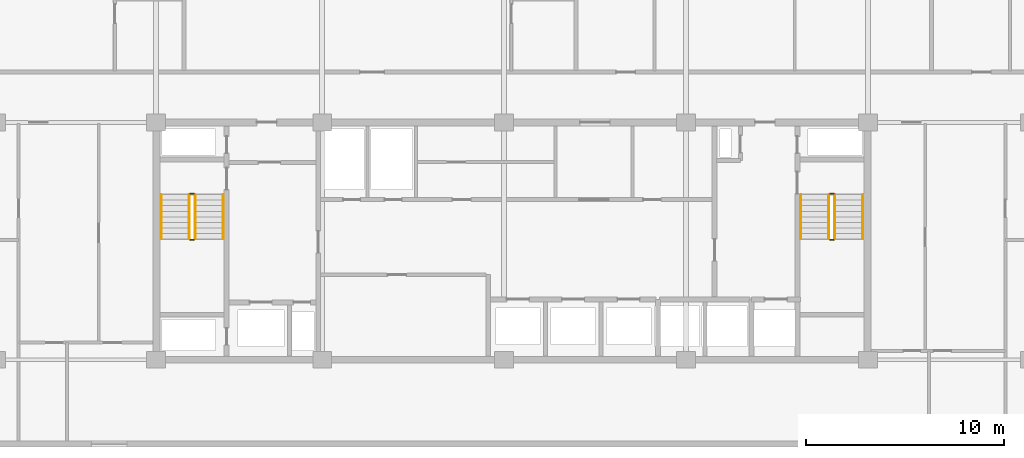
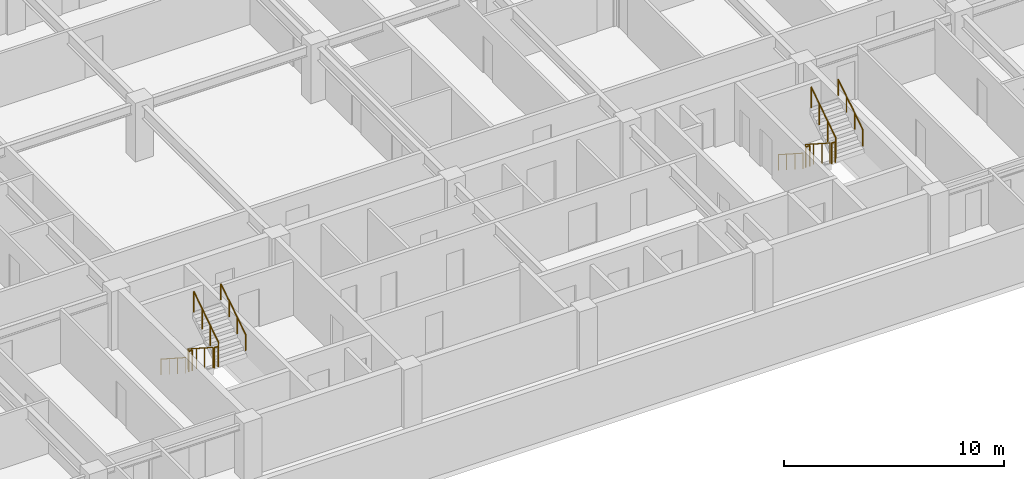
# One storey, part 20 of 21: 12 railings.
"""IFC4 building model written with IfcOpenShell, lengths in metres."""

from ifc_helpers import new_model, si_unit, direction, frame, origin, origin_2d, place, context, subcontext, project, spatial, circle, extrude, material, type_object, element, save


model = new_model("IFC4")

# Units and contexts
model_context = context("Model", 3, precision=1e-05, world=origin(), true_north=direction((0.0, 1.0)))
body_context = subcontext(model_context, "Body", "Model", "MODEL_VIEW")
ifc_project = project(units=[si_unit("LENGTHUNIT", "METRE"), si_unit("AREAUNIT", "SQUARE_METRE"), si_unit("VOLUMEUNIT", "CUBIC_METRE"), si_unit("PLANEANGLEUNIT", "RADIAN"), si_unit("MASSUNIT", "GRAM", prefix="KILO")], contexts=[model_context])

# Site, building, storey
site_placement = place(None, origin())
site = spatial("IfcSite", under=ifc_project, at=site_placement, CompositionType="ELEMENT")
building_placement = place(site_placement, origin())
building = spatial("IfcBuilding", under=site, at=building_placement, Name="Korimba Cascade Residences", CompositionType="ELEMENT")
storey_placement = place(building_placement, frame((0.0, 0.0, 123.050048828125)))
storey = spatial("IfcBuildingStorey", under=building, at=storey_placement, Name="L35", CompositionType="ELEMENT", Elevation=123.050048828125)

# Railings
ifc_material_1 = material(Name="Painted Steel Stairwell Guardrail", Category="steel")
railing_type_1 = type_object("IfcRailingType", Name="RLG-ST-GD1150", PredefinedType="GUARDRAIL", material=ifc_material_1)
railing_1_placement = place(storey_placement, frame((77.77001953125, 63.550048828125, 0.180419921875)))
element("IfcRailing", 1, at=railing_1_placement, inside=storey, type_object=railing_type_1, Name="L35 ST-W1 stair guard 1", PredefinedType="GUARDRAIL", context=body_context, shape_type="SweptSolid", body=[
    extrude(circle(Radius=0.02392578125, at=origin_2d()), frame((0.0, 0.0, 1.1259765625), z_axis=(0.0, -0.840394893359, 0.541974559565), x_axis=(1.0, 0.0, 0.0)), (0.0, 0.0, 1.0), 2.665283203125),
    extrude(circle(Radius=0.02099609375, at=origin_2d()), origin(), (0.0, 0.0, 1.0), 1.101806640625),
    extrude(circle(Radius=0.02099609375, at=origin_2d()), frame((0.0, -0.74658203125, 0.4814453125)), (0.0, 0.0, 1.0), 1.101806640625),
    extrude(circle(Radius=0.02099609375, at=origin_2d()), frame((0.0, -1.493408203125, 0.963134765625)), (0.0, 0.0, 1.0), 1.101806640625),
    extrude(circle(Radius=0.02099609375, at=origin_2d()), frame((0.0, -2.239990234375, 1.444580078125)), (0.0, 0.0, 1.0), 1.101806640625),
])
railing_2_placement = place(storey_placement, frame((77.820068359375, 61.260009765625, 1.625)))
element("IfcRailing", 2, at=railing_2_placement, inside=storey, type_object=railing_type_1, Name="L35 ST-W1 stair guard 2", PredefinedType="GUARDRAIL", context=body_context, shape_type="SweptSolid", body=[
    extrude(circle(Radius=0.02392578125, at=origin_2d()), frame((0.0, 0.0, 1.1259765625), z_axis=(1.0, 0.0, 0.0), x_axis=(0.0, 1.0, 0.0)), (0.0, 0.0, 1.0), 0.199951171875),
    extrude(circle(Radius=0.02099609375, at=origin_2d()), origin(), (0.0, 0.0, 1.0), 1.101806640625),
    extrude(circle(Radius=0.02099609375, at=origin_2d()), frame((0.199951171875, 0.0, 0.0)), (0.0, 0.0, 1.0), 1.101806640625),
])
railing_3_placement = place(storey_placement, frame((78.070068359375, 61.31005859375, 1.805419921875)))
element("IfcRailing", 3, at=railing_3_placement, inside=storey, type_object=railing_type_1, Name="L35 ST-W1 stair guard 3", PredefinedType="GUARDRAIL", context=body_context, shape_type="SweptSolid", body=[
    extrude(circle(Radius=0.02392578125, at=origin_2d()), frame((0.0, 0.0, 1.1259765625), z_axis=(0.0, 0.840394893359, 0.541974559565), x_axis=(-1.0, 0.0, 0.0)), (0.0, 0.0, 1.0), 2.665283203125),
    extrude(circle(Radius=0.02099609375, at=origin_2d()), origin(), (0.0, 0.0, 1.0), 1.101806640625),
    extrude(circle(Radius=0.02099609375, at=origin_2d()), frame((0.0, 0.74658203125, 0.4814453125)), (0.0, 0.0, 1.0), 1.101806640625),
    extrude(circle(Radius=0.02099609375, at=origin_2d()), frame((0.0, 1.493408203125, 0.963134765625)), (0.0, 0.0, 1.0), 1.101806640625),
    extrude(circle(Radius=0.02099609375, at=origin_2d()), frame((0.0, 2.239990234375, 1.444580078125)), (0.0, 0.0, 1.0), 1.101806640625),
])
railing_4_placement = place(storey_placement, frame((77.820068359375, 63.60009765625, 0.0)))
element("IfcRailing", 4, at=railing_4_placement, inside=storey, type_object=railing_type_1, Name="L35 ST-W1 stair guard 4", PredefinedType="GUARDRAIL", context=body_context, shape_type="SweptSolid", body=[
    extrude(circle(Radius=0.02392578125, at=origin_2d()), frame((0.0, 0.0, 1.1259765625), z_axis=(1.0, 0.0, 0.0), x_axis=(0.0, 1.0, 0.0)), (0.0, 0.0, 1.0), 0.199951171875),
    extrude(circle(Radius=0.02099609375, at=origin_2d()), origin(), (0.0, 0.0, 1.0), 1.101806640625),
    extrude(circle(Radius=0.02099609375, at=origin_2d()), frame((0.199951171875, 0.0, 0.0)), (0.0, 0.0, 1.0), 1.101806640625),
])
railing_5_placement = place(storey_placement, frame((110.1298828125, 63.550048828125, 0.180419921875)))
element("IfcRailing", 5, at=railing_5_placement, inside=storey, type_object=railing_type_1, Name="L35 ST-W2 stair guard 1", PredefinedType="GUARDRAIL", context=body_context, shape_type="SweptSolid", body=[
    extrude(circle(Radius=0.02392578125, at=origin_2d()), frame((0.0, 0.0, 1.1259765625), z_axis=(0.0, -0.840394893359, 0.541974559565), x_axis=(1.0, 0.0, 0.0)), (0.0, 0.0, 1.0), 2.665283203125),
    extrude(circle(Radius=0.02099609375, at=origin_2d()), origin(), (0.0, 0.0, 1.0), 1.101806640625),
    extrude(circle(Radius=0.02099609375, at=origin_2d()), frame((0.0, -0.74658203125, 0.4814453125)), (0.0, 0.0, 1.0), 1.101806640625),
    extrude(circle(Radius=0.02099609375, at=origin_2d()), frame((0.0, -1.493408203125, 0.963134765625)), (0.0, 0.0, 1.0), 1.101806640625),
    extrude(circle(Radius=0.02099609375, at=origin_2d()), frame((0.0, -2.239990234375, 1.444580078125)), (0.0, 0.0, 1.0), 1.101806640625),
])
railing_6_placement = place(storey_placement, frame((110.179931640625, 61.260009765625, 1.625)))
element("IfcRailing", 6, at=railing_6_placement, inside=storey, type_object=railing_type_1, Name="L35 ST-W2 stair guard 2", PredefinedType="GUARDRAIL", context=body_context, shape_type="SweptSolid", body=[
    extrude(circle(Radius=0.02392578125, at=origin_2d()), frame((0.0, 0.0, 1.1259765625), z_axis=(1.0, 0.0, 0.0), x_axis=(0.0, 1.0, 0.0)), (0.0, 0.0, 1.0), 0.199951171875),
    extrude(circle(Radius=0.02099609375, at=origin_2d()), origin(), (0.0, 0.0, 1.0), 1.101806640625),
    extrude(circle(Radius=0.02099609375, at=origin_2d()), frame((0.199951171875, 0.0, 0.0)), (0.0, 0.0, 1.0), 1.101806640625),
])
railing_7_placement = place(storey_placement, frame((110.429931640625, 61.31005859375, 1.805419921875)))
element("IfcRailing", 7, at=railing_7_placement, inside=storey, type_object=railing_type_1, Name="L35 ST-W2 stair guard 3", PredefinedType="GUARDRAIL", context=body_context, shape_type="SweptSolid", body=[
    extrude(circle(Radius=0.02392578125, at=origin_2d()), frame((0.0, 0.0, 1.1259765625), z_axis=(0.0, 0.840394893359, 0.541974559565), x_axis=(-1.0, 0.0, 0.0)), (0.0, 0.0, 1.0), 2.665283203125),
    extrude(circle(Radius=0.02099609375, at=origin_2d()), origin(), (0.0, 0.0, 1.0), 1.101806640625),
    extrude(circle(Radius=0.02099609375, at=origin_2d()), frame((0.0, 0.74658203125, 0.4814453125)), (0.0, 0.0, 1.0), 1.101806640625),
    extrude(circle(Radius=0.02099609375, at=origin_2d()), frame((0.0, 1.493408203125, 0.963134765625)), (0.0, 0.0, 1.0), 1.101806640625),
    extrude(circle(Radius=0.02099609375, at=origin_2d()), frame((0.0, 2.239990234375, 1.444580078125)), (0.0, 0.0, 1.0), 1.101806640625),
])
railing_8_placement = place(storey_placement, frame((110.179931640625, 63.60009765625, 0.0)))
element("IfcRailing", 8, at=railing_8_placement, inside=storey, type_object=railing_type_1, Name="L35 ST-W2 stair guard 4", PredefinedType="GUARDRAIL", context=body_context, shape_type="SweptSolid", body=[
    extrude(circle(Radius=0.02392578125, at=origin_2d()), frame((0.0, 0.0, 1.1259765625), z_axis=(1.0, 0.0, 0.0), x_axis=(0.0, 1.0, 0.0)), (0.0, 0.0, 1.0), 0.199951171875),
    extrude(circle(Radius=0.02099609375, at=origin_2d()), origin(), (0.0, 0.0, 1.0), 1.101806640625),
    extrude(circle(Radius=0.02099609375, at=origin_2d()), frame((0.199951171875, 0.0, 0.0)), (0.0, 0.0, 1.0), 1.101806640625),
])
ifc_material_2 = material(Name="Brushed Stainless Steel Handrail", Category="steel")
railing_type_2 = type_object("IfcRailingType", Name="RLG-ST-HR900", PredefinedType="HANDRAIL", material=ifc_material_2)
railing_9_placement = place(storey_placement, frame((76.35009765625, 63.550048828125, 0.364990234375)))
element("IfcRailing", 9, at=railing_9_placement, inside=storey, type_object=railing_type_2, Name="L35 ST-W1 stair handrail 1", PredefinedType="HANDRAIL", context=body_context, shape_type="SweptSolid", body=[
    extrude(circle(Radius=0.02392578125, at=origin_2d()), frame((0.0, 0.0, 0.8759765625), z_axis=(0.0, -0.840436612492, 0.541909863706), x_axis=(1.0, 0.0, 0.0)), (0.0, 0.0, 1.0), 2.665283203125),
    extrude(circle(Radius=0.02099609375, at=origin_2d()), origin(), (0.0, 0.0, 1.0), 0.851806640625),
    extrude(circle(Radius=0.02099609375, at=origin_2d()), frame((0.0, -0.74658203125, 0.4814453125)), (0.0, 0.0, 1.0), 0.851806640625),
    extrude(circle(Radius=0.02099609375, at=origin_2d()), frame((0.0, -1.493408203125, 0.962890625)), (0.0, 0.0, 1.0), 0.851806640625),
    extrude(circle(Radius=0.02099609375, at=origin_2d()), frame((0.0, -2.239990234375, 1.4443359375)), (0.0, 0.0, 1.0), 0.851806640625),
])
railing_10_placement = place(storey_placement, frame((79.489990234375, 61.31005859375, 1.989990234375)))
element("IfcRailing", 10, at=railing_10_placement, inside=storey, type_object=railing_type_2, Name="L35 ST-W1 stair handrail 2", PredefinedType="HANDRAIL", context=body_context, shape_type="SweptSolid", body=[
    extrude(circle(Radius=0.02392578125, at=origin_2d()), frame((0.0, 0.0, 0.8759765625), z_axis=(0.0, 0.840436612492, 0.541909863706), x_axis=(-1.0, 0.0, 0.0)), (0.0, 0.0, 1.0), 2.665283203125),
    extrude(circle(Radius=0.02099609375, at=origin_2d()), origin(), (0.0, 0.0, 1.0), 0.851806640625),
    extrude(circle(Radius=0.02099609375, at=origin_2d()), frame((0.0, 0.74658203125, 0.4814453125)), (0.0, 0.0, 1.0), 0.851806640625),
    extrude(circle(Radius=0.02099609375, at=origin_2d()), frame((0.0, 1.493408203125, 0.962890625)), (0.0, 0.0, 1.0), 0.851806640625),
    extrude(circle(Radius=0.02099609375, at=origin_2d()), frame((0.0, 2.239990234375, 1.4443359375)), (0.0, 0.0, 1.0), 0.851806640625),
])
railing_11_placement = place(storey_placement, frame((108.7099609375, 63.550048828125, 0.364990234375)))
element("IfcRailing", 11, at=railing_11_placement, inside=storey, type_object=railing_type_2, Name="L35 ST-W2 stair handrail 1", PredefinedType="HANDRAIL", context=body_context, shape_type="SweptSolid", body=[
    extrude(circle(Radius=0.02392578125, at=origin_2d()), frame((0.0, 0.0, 0.8759765625), z_axis=(0.0, -0.840436612492, 0.541909863706), x_axis=(1.0, 0.0, 0.0)), (0.0, 0.0, 1.0), 2.665283203125),
    extrude(circle(Radius=0.02099609375, at=origin_2d()), origin(), (0.0, 0.0, 1.0), 0.851806640625),
    extrude(circle(Radius=0.02099609375, at=origin_2d()), frame((0.0, -0.74658203125, 0.4814453125)), (0.0, 0.0, 1.0), 0.851806640625),
    extrude(circle(Radius=0.02099609375, at=origin_2d()), frame((0.0, -1.493408203125, 0.962890625)), (0.0, 0.0, 1.0), 0.851806640625),
    extrude(circle(Radius=0.02099609375, at=origin_2d()), frame((0.0, -2.239990234375, 1.4443359375)), (0.0, 0.0, 1.0), 0.851806640625),
])
railing_12_placement = place(storey_placement, frame((111.85009765625, 61.31005859375, 1.989990234375)))
element("IfcRailing", 12, at=railing_12_placement, inside=storey, type_object=railing_type_2, Name="L35 ST-W2 stair handrail 2", PredefinedType="HANDRAIL", context=body_context, shape_type="SweptSolid", body=[
    extrude(circle(Radius=0.02392578125, at=origin_2d()), frame((0.0, 0.0, 0.8759765625), z_axis=(0.0, 0.840436612492, 0.541909863706), x_axis=(-1.0, 0.0, 0.0)), (0.0, 0.0, 1.0), 2.665283203125),
    extrude(circle(Radius=0.02099609375, at=origin_2d()), origin(), (0.0, 0.0, 1.0), 0.851806640625),
    extrude(circle(Radius=0.02099609375, at=origin_2d()), frame((0.0, 0.74658203125, 0.4814453125)), (0.0, 0.0, 1.0), 0.851806640625),
    extrude(circle(Radius=0.02099609375, at=origin_2d()), frame((0.0, 1.493408203125, 0.962890625)), (0.0, 0.0, 1.0), 0.851806640625),
    extrude(circle(Radius=0.02099609375, at=origin_2d()), frame((0.0, 2.239990234375, 1.4443359375)), (0.0, 0.0, 1.0), 0.851806640625),
])

save(model, "model.ifc")
